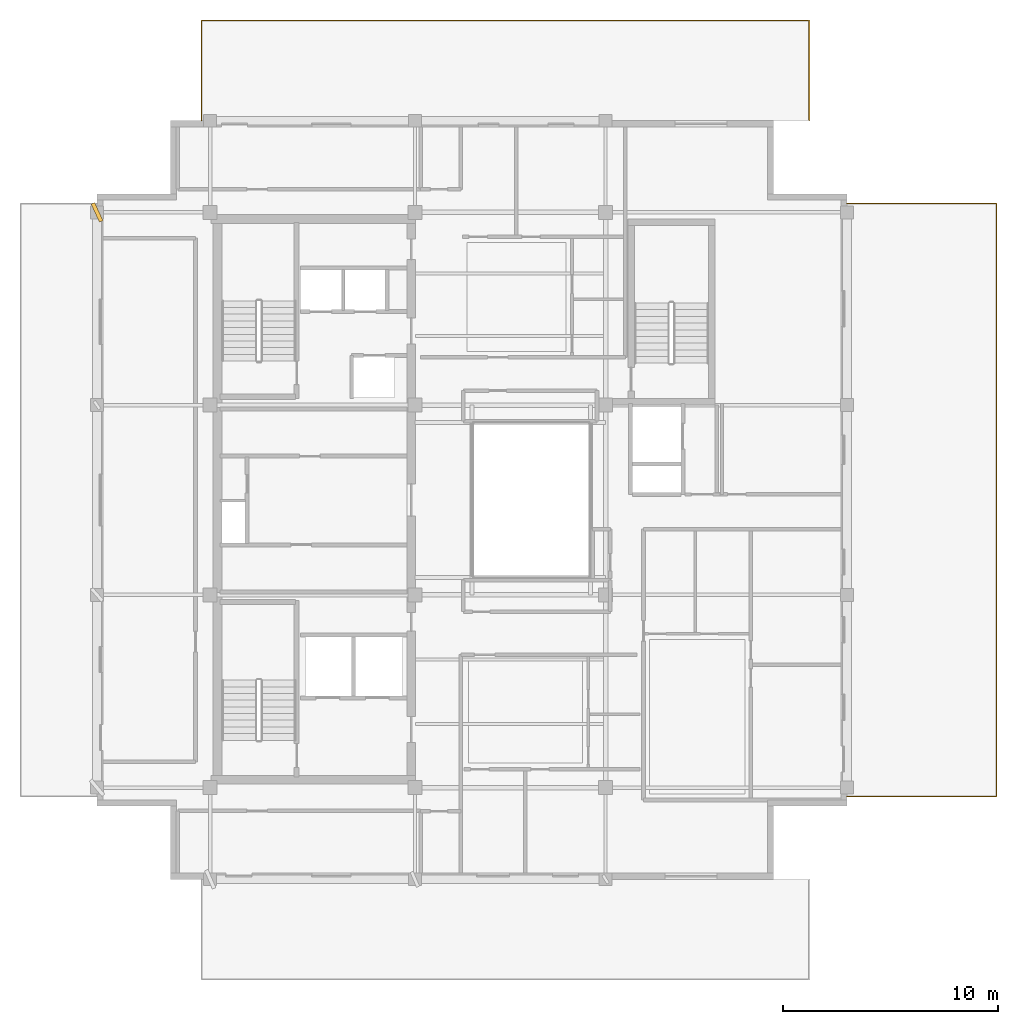
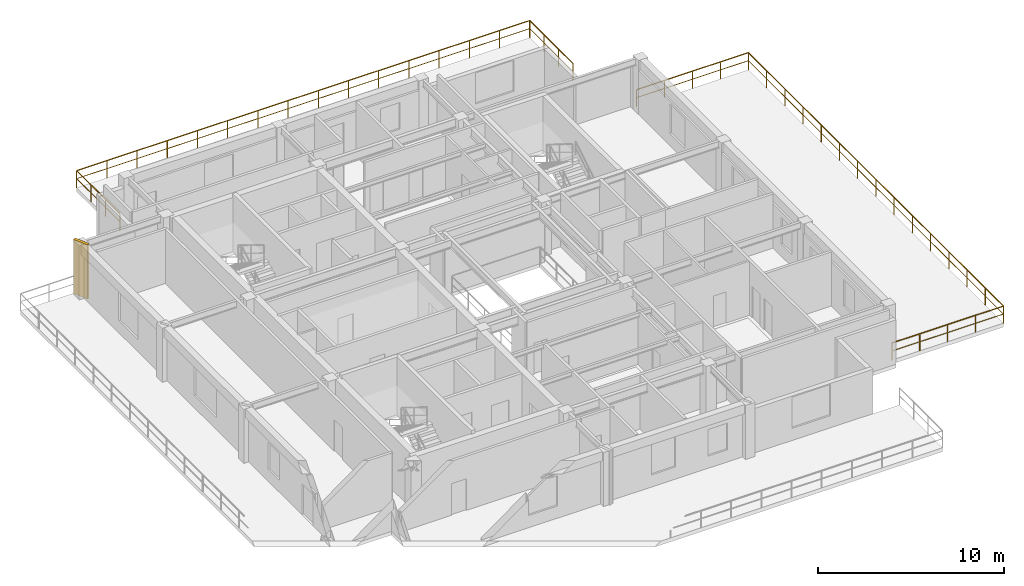
# One storey, part 9 of 9: 2 railings, 1 shading device.
"""IFC4 building model written with IfcOpenShell, lengths in metres."""

from ifc_helpers import new_model, si_unit, direction, frame, origin, origin_2d, place, context, subcontext, project, spatial, rectangle, extrude, material, type_object, element, save


model = new_model("IFC4")

# Units and contexts
model_context = context("Model", 3, precision=1e-05, world=origin(), true_north=direction((0.0, 1.0)))
body_context = subcontext(model_context, "Body", "Model", "MODEL_VIEW")
ifc_project = project(units=[si_unit("LENGTHUNIT", "METRE"), si_unit("AREAUNIT", "SQUARE_METRE"), si_unit("VOLUMEUNIT", "CUBIC_METRE"), si_unit("PLANEANGLEUNIT", "RADIAN"), si_unit("MASSUNIT", "GRAM", prefix="KILO")], contexts=[model_context])

# Site, building, storey
site_placement = place(None, origin())
site = spatial("IfcSite", under=ifc_project, at=site_placement, CompositionType="ELEMENT")
building_placement = place(site_placement, origin())
building = spatial("IfcBuilding", under=site, at=building_placement, Name="Kundavana Baori Tower", CompositionType="ELEMENT")
storey_placement = place(building_placement, frame((0.0, 0.0, 327.699951171875)))
storey = spatial("IfcBuildingStorey", under=building, at=storey_placement, Name="L81", CompositionType="ELEMENT", Elevation=327.699951171875)

# Railings
ifc_material_1 = material(Name="Architectural Patinated Bronze Metalwork")
railing_type = type_object("IfcRailingType", Name="RL-BAL-1150", PredefinedType="BALUSTRADE", material=ifc_material_1)
railing_1_placement = place(storey_placement, frame((15.050048828125, 46.199951171875, 0.0)))
element("IfcRailing", 1, at=railing_1_placement, inside=storey, type_object=railing_type, Name="L81 Sky Terrace Guard Balustrade N", PredefinedType="BALUSTRADE", context=body_context, shape_type="SweptSolid", body=[
    extrude(rectangle(XDim=0.048095703125, YDim=0.048095703125, at=origin_2d()), frame((0.0, 0.0, 1.1259765625), z_axis=(0.0, 1.0, 0.0), x_axis=(-1.0, 0.0, 0.0)), (0.0, 0.0, 1.0), 4.650146484375),
    extrude(rectangle(XDim=0.03125, YDim=0.03125, at=origin_2d()), frame((0.0, 0.0, 0.597900390625), z_axis=(0.0, 1.0, 0.0), x_axis=(-1.0, 0.0, 0.0)), (0.0, 0.0, 1.0), 4.650146484375),
    extrude(rectangle(XDim=0.048095703125, YDim=0.048095703125, at=origin_2d()), frame((0.0, 4.650146484375, 1.1259765625), z_axis=(1.0, 0.0, 0.0), x_axis=(0.0, 1.0, 0.0)), (0.0, 0.0, 1.0), 28.199951171875),
    extrude(rectangle(XDim=0.03125, YDim=0.03125, at=origin_2d()), frame((0.0, 4.650146484375, 0.597900390625), z_axis=(1.0, 0.0, 0.0), x_axis=(0.0, 1.0, 0.0)), (0.0, 0.0, 1.0), 28.199951171875),
    extrude(rectangle(XDim=0.048095703125, YDim=0.048095703125, at=origin_2d()), frame((28.199951171875, 4.650146484375, 1.1259765625), z_axis=(0.0, -1.0, 0.0), x_axis=(1.0, 0.0, 0.0)), (0.0, 0.0, 1.0), 4.650146484375),
    extrude(rectangle(XDim=0.03125, YDim=0.03125, at=origin_2d()), frame((28.199951171875, 4.650146484375, 0.597900390625), z_axis=(0.0, -1.0, 0.0), x_axis=(1.0, 0.0, 0.0)), (0.0, 0.0, 1.0), 4.650146484375),
    extrude(rectangle(XDim=0.0419921875, YDim=0.0419921875, at=origin_2d()), origin(), (0.0, 0.0, 1.0), 1.101806640625),
    extrude(rectangle(XDim=0.0419921875, YDim=0.0419921875, at=origin_2d()), frame((0.0, 1.550048828125, 0.0)), (0.0, 0.0, 1.0), 1.101806640625),
    extrude(rectangle(XDim=0.0419921875, YDim=0.0419921875, at=origin_2d()), frame((0.0, 3.10009765625, 0.0)), (0.0, 0.0, 1.0), 1.101806640625),
    extrude(rectangle(XDim=0.0419921875, YDim=0.0419921875, at=origin_2d()), frame((0.0, 4.650146484375, 0.0)), (0.0, 0.0, 1.0), 1.101806640625),
    extrude(rectangle(XDim=0.0419921875, YDim=0.0419921875, at=origin_2d()), frame((1.8798828125, 4.650146484375, 0.0)), (0.0, 0.0, 1.0), 1.101806640625),
    extrude(rectangle(XDim=0.0419921875, YDim=0.0419921875, at=origin_2d()), frame((3.760009765625, 4.650146484375, 0.0)), (0.0, 0.0, 1.0), 1.101806640625),
    extrude(rectangle(XDim=0.0419921875, YDim=0.0419921875, at=origin_2d()), frame((5.639892578125, 4.650146484375, 0.0)), (0.0, 0.0, 1.0), 1.101806640625),
    extrude(rectangle(XDim=0.0419921875, YDim=0.0419921875, at=origin_2d()), frame((7.52001953125, 4.650146484375, 0.0)), (0.0, 0.0, 1.0), 1.101806640625),
    extrude(rectangle(XDim=0.0419921875, YDim=0.0419921875, at=origin_2d()), frame((9.39990234375, 4.650146484375, 0.0)), (0.0, 0.0, 1.0), 1.101806640625),
    extrude(rectangle(XDim=0.0419921875, YDim=0.0419921875, at=origin_2d()), frame((11.280029296875, 4.650146484375, 0.0)), (0.0, 0.0, 1.0), 1.101806640625),
    extrude(rectangle(XDim=0.0419921875, YDim=0.0419921875, at=origin_2d()), frame((13.159912109375, 4.650146484375, 0.0)), (0.0, 0.0, 1.0), 1.101806640625),
    extrude(rectangle(XDim=0.0419921875, YDim=0.0419921875, at=origin_2d()), frame((15.0400390625, 4.650146484375, 0.0)), (0.0, 0.0, 1.0), 1.101806640625),
    extrude(rectangle(XDim=0.0419921875, YDim=0.0419921875, at=origin_2d()), frame((16.919921875, 4.650146484375, 0.0)), (0.0, 0.0, 1.0), 1.101806640625),
    extrude(rectangle(XDim=0.0419921875, YDim=0.0419921875, at=origin_2d()), frame((18.800048828125, 4.650146484375, 0.0)), (0.0, 0.0, 1.0), 1.101806640625),
    extrude(rectangle(XDim=0.0419921875, YDim=0.0419921875, at=origin_2d()), frame((20.679931640625, 4.650146484375, 0.0)), (0.0, 0.0, 1.0), 1.101806640625),
    extrude(rectangle(XDim=0.0419921875, YDim=0.0419921875, at=origin_2d()), frame((22.56005859375, 4.650146484375, 0.0)), (0.0, 0.0, 1.0), 1.101806640625),
    extrude(rectangle(XDim=0.0419921875, YDim=0.0419921875, at=origin_2d()), frame((24.43994140625, 4.650146484375, 0.0)), (0.0, 0.0, 1.0), 1.101806640625),
    extrude(rectangle(XDim=0.0419921875, YDim=0.0419921875, at=origin_2d()), frame((26.320068359375, 4.650146484375, 0.0)), (0.0, 0.0, 1.0), 1.101806640625),
    extrude(rectangle(XDim=0.0419921875, YDim=0.0419921875, at=origin_2d()), frame((28.199951171875, 4.650146484375, 0.0)), (0.0, 0.0, 1.0), 1.101806640625),
    extrude(rectangle(XDim=0.0419921875, YDim=0.0419921875, at=origin_2d()), frame((28.199951171875, 3.10009765625, 0.0)), (0.0, 0.0, 1.0), 1.101806640625),
    extrude(rectangle(XDim=0.0419921875, YDim=0.0419921875, at=origin_2d()), frame((28.199951171875, 1.550048828125, 0.0)), (0.0, 0.0, 1.0), 1.101806640625),
    extrude(rectangle(XDim=0.0419921875, YDim=0.0419921875, at=origin_2d()), frame((28.199951171875, 0.0, 0.0)), (0.0, 0.0, 1.0), 1.101806640625),
])
railing_2_placement = place(storey_placement, frame((45.0, 42.35009765625, 0.0)))
element("IfcRailing", 2, at=railing_2_placement, inside=storey, type_object=railing_type, Name="L81 Sky Terrace Guard Balustrade E", PredefinedType="BALUSTRADE", context=body_context, shape_type="SweptSolid", body=[
    extrude(rectangle(XDim=0.048095703125, YDim=0.048095703125, at=origin_2d()), frame((0.0, 0.0, 1.1259765625), z_axis=(1.0, 0.0, 0.0), x_axis=(0.0, 1.0, 0.0)), (0.0, 0.0, 1.0), 6.949951171875),
    extrude(rectangle(XDim=0.03125, YDim=0.03125, at=origin_2d()), frame((0.0, 0.0, 0.597900390625), z_axis=(1.0, 0.0, 0.0), x_axis=(0.0, 1.0, 0.0)), (0.0, 0.0, 1.0), 6.949951171875),
    extrude(rectangle(XDim=0.048095703125, YDim=0.048095703125, at=origin_2d()), frame((6.949951171875, 0.0, 1.1259765625), z_axis=(0.0, -1.0, 0.0), x_axis=(1.0, 0.0, 0.0)), (0.0, 0.0, 1.0), 27.5),
    extrude(rectangle(XDim=0.03125, YDim=0.03125, at=origin_2d()), frame((6.949951171875, 0.0, 0.597900390625), z_axis=(0.0, -1.0, 0.0), x_axis=(1.0, 0.0, 0.0)), (0.0, 0.0, 1.0), 27.5),
    extrude(rectangle(XDim=0.048095703125, YDim=0.048095703125, at=origin_2d()), frame((6.949951171875, -27.5, 1.1259765625), z_axis=(-1.0, 0.0, 0.0), x_axis=(0.0, -1.0, 0.0)), (0.0, 0.0, 1.0), 6.949951171875),
    extrude(rectangle(XDim=0.03125, YDim=0.03125, at=origin_2d()), frame((6.949951171875, -27.5, 0.597900390625), z_axis=(-1.0, 0.0, 0.0), x_axis=(0.0, -1.0, 0.0)), (0.0, 0.0, 1.0), 6.949951171875),
    extrude(rectangle(XDim=0.0419921875, YDim=0.0419921875, at=origin_2d()), origin(), (0.0, 0.0, 1.0), 1.101806640625),
    extrude(rectangle(XDim=0.0419921875, YDim=0.0419921875, at=origin_2d()), frame((1.737548828125, 0.0, 0.0)), (0.0, 0.0, 1.0), 1.101806640625),
    extrude(rectangle(XDim=0.0419921875, YDim=0.0419921875, at=origin_2d()), frame((3.47509765625, 0.0, 0.0)), (0.0, 0.0, 1.0), 1.101806640625),
    extrude(rectangle(XDim=0.0419921875, YDim=0.0419921875, at=origin_2d()), frame((5.21240234375, 0.0, 0.0)), (0.0, 0.0, 1.0), 1.101806640625),
    extrude(rectangle(XDim=0.0419921875, YDim=0.0419921875, at=origin_2d()), frame((6.949951171875, 0.0, 0.0)), (0.0, 0.0, 1.0), 1.101806640625),
    extrude(rectangle(XDim=0.0419921875, YDim=0.0419921875, at=origin_2d()), frame((6.949951171875, -1.96435546875, 0.0)), (0.0, 0.0, 1.0), 1.101806640625),
    extrude(rectangle(XDim=0.0419921875, YDim=0.0419921875, at=origin_2d()), frame((6.949951171875, -3.928466796875, 0.0)), (0.0, 0.0, 1.0), 1.101806640625),
    extrude(rectangle(XDim=0.0419921875, YDim=0.0419921875, at=origin_2d()), frame((6.949951171875, -5.892822265625, 0.0)), (0.0, 0.0, 1.0), 1.101806640625),
    extrude(rectangle(XDim=0.0419921875, YDim=0.0419921875, at=origin_2d()), frame((6.949951171875, -7.857177734375, 0.0)), (0.0, 0.0, 1.0), 1.101806640625),
    extrude(rectangle(XDim=0.0419921875, YDim=0.0419921875, at=origin_2d()), frame((6.949951171875, -9.821533203125, 0.0)), (0.0, 0.0, 1.0), 1.101806640625),
    extrude(rectangle(XDim=0.0419921875, YDim=0.0419921875, at=origin_2d()), frame((6.949951171875, -11.78564453125, 0.0)), (0.0, 0.0, 1.0), 1.101806640625),
    extrude(rectangle(XDim=0.0419921875, YDim=0.0419921875, at=origin_2d()), frame((6.949951171875, -13.75, 0.0)), (0.0, 0.0, 1.0), 1.101806640625),
    extrude(rectangle(XDim=0.0419921875, YDim=0.0419921875, at=origin_2d()), frame((6.949951171875, -15.71435546875, 0.0)), (0.0, 0.0, 1.0), 1.101806640625),
    extrude(rectangle(XDim=0.0419921875, YDim=0.0419921875, at=origin_2d()), frame((6.949951171875, -17.678466796875, 0.0)), (0.0, 0.0, 1.0), 1.101806640625),
    extrude(rectangle(XDim=0.0419921875, YDim=0.0419921875, at=origin_2d()), frame((6.949951171875, -19.642822265625, 0.0)), (0.0, 0.0, 1.0), 1.101806640625),
    extrude(rectangle(XDim=0.0419921875, YDim=0.0419921875, at=origin_2d()), frame((6.949951171875, -21.607177734375, 0.0)), (0.0, 0.0, 1.0), 1.101806640625),
    extrude(rectangle(XDim=0.0419921875, YDim=0.0419921875, at=origin_2d()), frame((6.949951171875, -23.571533203125, 0.0)), (0.0, 0.0, 1.0), 1.101806640625),
    extrude(rectangle(XDim=0.0419921875, YDim=0.0419921875, at=origin_2d()), frame((6.949951171875, -25.53564453125, 0.0)), (0.0, 0.0, 1.0), 1.101806640625),
    extrude(rectangle(XDim=0.0419921875, YDim=0.0419921875, at=origin_2d()), frame((6.949951171875, -27.5, 0.0)), (0.0, 0.0, 1.0), 1.101806640625),
    extrude(rectangle(XDim=0.0419921875, YDim=0.0419921875, at=origin_2d()), frame((5.21240234375, -27.5, 0.0)), (0.0, 0.0, 1.0), 1.101806640625),
    extrude(rectangle(XDim=0.0419921875, YDim=0.0419921875, at=origin_2d()), frame((3.47509765625, -27.5, 0.0)), (0.0, 0.0, 1.0), 1.101806640625),
    extrude(rectangle(XDim=0.0419921875, YDim=0.0419921875, at=origin_2d()), frame((1.737548828125, -27.5, 0.0)), (0.0, 0.0, 1.0), 1.101806640625),
    extrude(rectangle(XDim=0.0419921875, YDim=0.0419921875, at=origin_2d()), frame((0.0, -27.5, 0.0)), (0.0, 0.0, 1.0), 1.101806640625),
])

# Shading device
ifc_material_2 = material(Name="Red-Buff Dholpur Sandstone Cladding on Concrete C40/50", Category="masonry")
shading_device_type = type_object("IfcShadingDeviceType", Name="SHD-FIN-920", PredefinedType="JALOUSIE", material=ifc_material_2)
shading_device_placement = place(storey_placement, frame((10.199951171875, 41.949951171875, 0.0), z_axis=(0.0, 0.0, 1.0), x_axis=(0.907190928252, 0.420719169633, 0.0)))
element("IfcShadingDevice", 3, at=shading_device_placement, inside=storey, type_object=shading_device_type, Name="L81 Sweeping Dholpur Sandstone Facade Fin 7", PredefinedType="JALOUSIE", context=body_context, shape_type="SweptSolid", body=[
    extrude(rectangle(XDim=0.179931640625, YDim=0.919921875, at=origin_2d()), origin(), (0.0, 0.0, 1.0), 3.56005859375),
])

save(model, "model.ifc")
